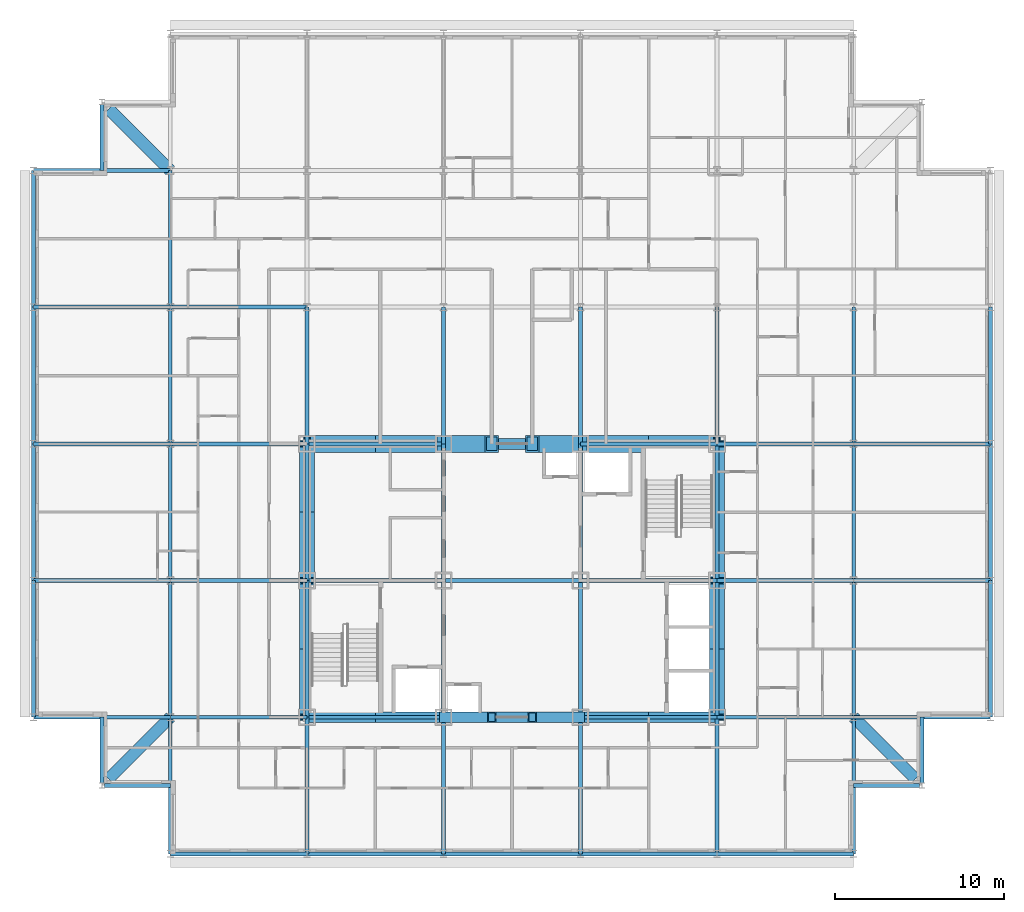
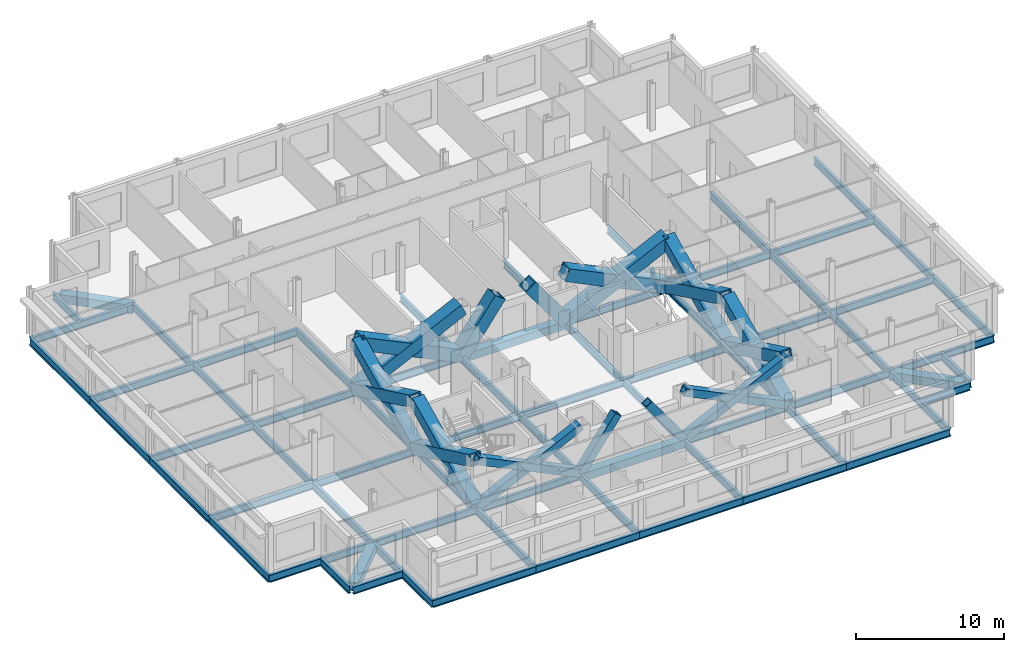
# One storey, part 5 of 15: 69 beams, 20 members.
"""IFC4 building model written with IfcOpenShell, lengths in metres."""

import ifcopenshell
import ifcopenshell.guid

model = None  # the IFC model being written
_history = None  # IfcOwnerHistory: only IFC2X3 demands one
_inside = {}  # id of a spatial element -> (the spatial element, [elements in it])
_under = {}  # id of a project, library or spatial element -> (it, [spatial elements below it])
_declared = {}  # id of a project -> (the project, [libraries it declares])
_typed = {}  # id of a type object -> (the type object, [elements of that type])
_made_of = {}  # id of a material, layer set ... -> (it, [elements and type objects made of it])


def new_model(schema):
    """Start an empty IFC model of exactly this schema.

    Asked for "IFC4X3", IfcOpenShell would pick the latest addendum, in which some entities
    have other attributes; the version numbers below select the first issue.
    IFC2X3 requires an IfcOwnerHistory on every rooted entity: one is made here for all.
    """
    global model, _history
    if schema == "IFC4X3":
        model = ifcopenshell.file(schema_version=(4, 3, 0, 0))
    else:
        model = ifcopenshell.file(schema=schema)
    _inside.clear()
    _under.clear()
    _declared.clear()
    _typed.clear()
    _made_of.clear()
    _history = None
    if model.schema == "IFC2X3":
        org = make("IfcOrganization", Name="unknown")
        user = make(
            "IfcPersonAndOrganization",
            ThePerson=make("IfcPerson", FamilyName="unknown"),
            TheOrganization=org,
        )
        app = make(
            "IfcApplication",
            ApplicationDeveloper=org,
            Version="unknown",
            ApplicationFullName="unknown",
            ApplicationIdentifier="unknown",
        )
        _history = make(
            "IfcOwnerHistory",
            OwningUser=user,
            OwningApplication=app,
            ChangeAction="ADDED",
            CreationDate=0,
        )
    return model


def make(cls, **values):
    """One entity of the class cls with the attributes given. An attribute that is None is left unset."""
    return model.create_entity(
        cls, **{name: value for name, value in values.items() if value is not None}
    )


def rooted(cls, **values):
    """An entity with a GlobalId (a new one), such as an element, a storey or a relation."""
    return make(cls, GlobalId=ifcopenshell.guid.new(), OwnerHistory=_history, **values)


def si_unit(unit_type, name, prefix=None):
    """IfcSIUnit, for example si_unit("LENGTHUNIT", "METRE", prefix="MILLI")."""
    return make("IfcSIUnit", UnitType=unit_type, Prefix=prefix, Name=name)


def assignment(units):
    """IfcUnitAssignment: the units of a project."""
    return None if units is None else make("IfcUnitAssignment", Units=units)


def point(xyz):
    """IfcCartesianPoint."""
    return None if xyz is None else make("IfcCartesianPoint", Coordinates=xyz)


def direction(xyz):
    """IfcDirection."""
    return None if xyz is None else make("IfcDirection", DirectionRatios=xyz)


def frame(location, z_axis=None, x_axis=None):
    """IfcAxis2Placement3D, a coordinate frame: its origin and axes. An axis left out is left unset."""
    return make(
        "IfcAxis2Placement3D",
        Location=point(location),
        Axis=direction(z_axis),
        RefDirection=direction(x_axis),
    )


def frame_2d(location, x_axis=None):
    """IfcAxis2Placement2D, a coordinate frame in the plane: its origin and x axis."""
    return make(
        "IfcAxis2Placement2D", Location=point(location), RefDirection=direction(x_axis)
    )


def origin():
    """The frame at (0, 0, 0) with its axes left unset."""
    return frame((0.0, 0.0, 0.0))


def origin_2d():
    """The frame at (0, 0) in the plane with its x axis left unset."""
    return frame_2d((0.0, 0.0))


def place(relative_to, where):
    """IfcLocalPlacement: puts the frame where relative to a parent placement (None: the world)."""
    return make(
        "IfcLocalPlacement", PlacementRelTo=relative_to, RelativePlacement=where
    )


def context(
    kind, dimensions, precision=None, world=None, true_north=None, identifier=None
):
    """IfcGeometricRepresentationContext, for example the 3D "Model" context."""
    return make(
        "IfcGeometricRepresentationContext",
        ContextIdentifier=identifier,
        ContextType=kind,
        CoordinateSpaceDimension=dimensions,
        Precision=precision,
        WorldCoordinateSystem=world,
        TrueNorth=true_north,
    )


def subcontext(parent, identifier, kind, view, scale=None):
    """IfcGeometricRepresentationSubContext, for example "Body" below "Model"."""
    return make(
        "IfcGeometricRepresentationSubContext",
        ContextIdentifier=identifier,
        ContextType=kind,
        ParentContext=parent,
        TargetScale=scale,
        TargetView=view,
    )


def project(units=None, contexts=None):
    """IfcProject with its units and contexts."""
    return rooted(
        "IfcProject",
        Name="project",
        RepresentationContexts=contexts,
        UnitsInContext=assignment(units),
    )


def spatial(cls, under=None, at=None, **own):
    """A site, building, storey or space (cls), placed at a placement, below another one or the project."""
    s = rooted(cls, ObjectPlacement=at, **own)
    if under is not None:
        _under.setdefault(under.id(), (under, []))[1].append(s)
    return s


def profile(cls, at=None, kind="AREA", **sizes):
    """A parametric profile (cls). Its sizes go by their IFC names, for example OverallWidth=200.0."""
    return make(cls, ProfileType=kind, Position=at, **sizes)


def hollow_rectangle(**sizes):
    """IfcRectangleHollowProfileDef."""
    return profile("IfcRectangleHollowProfileDef", **sizes)


def i_section(**sizes):
    """IfcIShapeProfileDef."""
    return profile("IfcIShapeProfileDef", **sizes)


def extrude(swept, where, along, depth):
    """IfcExtrudedAreaSolid: the profile swept, set in the frame where, extruded along a direction by depth."""
    return make(
        "IfcExtrudedAreaSolid",
        SweptArea=swept,
        Position=where,
        ExtrudedDirection=direction(along),
        Depth=depth,
    )


def shape(context_of_items, identifier, shape_type, items):
    """IfcShapeRepresentation: the items that make up one representation, for example the "Body"."""
    return make(
        "IfcShapeRepresentation",
        ContextOfItems=context_of_items,
        RepresentationIdentifier=identifier,
        RepresentationType=shape_type,
        Items=items,
    )


def material(Name=None, Category=None):
    """IfcMaterial."""
    return make("IfcMaterial", Name=Name, Category=Category)


def material_profile(
    of_material, cross_section, Name=None, Category=None, Priority=None
):
    """IfcMaterialProfile: a cross section and its material."""
    return make(
        "IfcMaterialProfile",
        Name=Name,
        Material=of_material,
        Profile=cross_section,
        Priority=Priority,
        Category=Category,
    )


def profile_set(profiles, Name=None, composite=None):
    """IfcMaterialProfileSet."""
    return make(
        "IfcMaterialProfileSet",
        Name=Name,
        MaterialProfiles=profiles,
        CompositeProfile=composite,
    )


def made_of(thing, what):
    """Note that an element or type object is made of a material, layer set ...; save() writes the relation."""
    if what is not None:
        _made_of.setdefault(what.id(), (what, []))[1].append(thing)
    return thing


def type_object(cls, material=None, **own):
    """A type object (cls), such as IfcWallType, which elements share."""
    return made_of(rooted(cls, **own), material)


def element(
    cls,
    number,
    at=None,
    inside=None,
    cuts=None,
    type_object=None,
    material=None,
    context=None,
    identifier="Body",
    shape_type=None,
    held_by="IfcProductDefinitionShape",
    body=None,
    shapes=None,
    **own,
):
    """One element of the class cls, such as IfcWall. Its Tag is "e" and its number.

    at: its placement. inside: the storey or other place that contains it. cuts: it is an
    opening in that element (IfcRelVoidsElement). A single representation is given by context,
    identifier, shape_type and body (its items); several are given by shapes. held_by: the class
    of the entity that holds the representations. save() writes the other relations.
    """
    e = rooted(cls, Tag="e%d" % number, ObjectPlacement=at, **own)
    if body is not None:
        shapes = [shape(context, identifier, shape_type, body)]
    if shapes is not None:
        e.Representation = make(held_by, Representations=shapes)
    if inside is not None:
        _inside.setdefault(inside.id(), (inside, []))[1].append(e)
    if cuts is not None:
        rooted(
            "IfcRelVoidsElement", RelatingBuildingElement=cuts, RelatedOpeningElement=e
        )
    if type_object is not None:
        _typed.setdefault(type_object.id(), (type_object, []))[1].append(e)
    return made_of(e, material)


def aggregate(whole, parts):
    """IfcRelAggregates: a whole, such as a stair, and the parts it consists of."""
    return rooted("IfcRelAggregates", RelatingObject=whole, RelatedObjects=parts)


def save(model, path):
    """Write the relations noted so far, then the file.

    IfcRelAggregates (storeys below a building ...), IfcRelContainedInSpatialStructure (elements
    in a storey), IfcRelDefinesByType, IfcRelAssociatesMaterial and IfcRelDeclares: one each for
    every whole, place, type object, material and project.
    """
    for whole, parts in _under.values():
        aggregate(whole, parts)
    for where, things in _inside.values():
        rooted(
            "IfcRelContainedInSpatialStructure",
            RelatedElements=things,
            RelatingStructure=where,
        )
    for kind, things in _typed.values():
        rooted("IfcRelDefinesByType", RelatedObjects=things, RelatingType=kind)
    for what, things in _made_of.values():
        rooted("IfcRelAssociatesMaterial", RelatedObjects=things, RelatingMaterial=what)
    for by, libraries in _declared.values():
        rooted("IfcRelDeclares", RelatingContext=by, RelatedDefinitions=libraries)
    model.write(path)


model = new_model("IFC4")

# Units and contexts
model_context = context("Model", 3, precision=1e-05, world=origin(), true_north=direction((0.0, 1.0)))
body_context = subcontext(model_context, "Body", "Model", "MODEL_VIEW")
ifc_project = project(units=[si_unit("LENGTHUNIT", "METRE"), si_unit("AREAUNIT", "SQUARE_METRE"), si_unit("VOLUMEUNIT", "CUBIC_METRE"), si_unit("PLANEANGLEUNIT", "RADIAN"), si_unit("MASSUNIT", "GRAM", prefix="KILO")], contexts=[model_context])

# Site, building, storey
site_placement = place(None, origin())
site = spatial("IfcSite", under=ifc_project, at=site_placement, CompositionType="ELEMENT")
building_placement = place(site_placement, origin())
building = spatial("IfcBuilding", under=site, at=building_placement, Name="Kopane Lantern Tower", CompositionType="ELEMENT")
storey_placement = place(building_placement, frame((0.0, 0.0, 254.10009765625)))
storey = spatial("IfcBuildingStorey", under=building, at=storey_placement, Name="L65", CompositionType="ELEMENT", Elevation=254.10009765625)

# Members
ifc_material_1 = material(Name="Steel S355JR", Category="steel")
ifc_material_profile_1 = material_profile(ifc_material_1, hollow_rectangle(XDim=1.0, YDim=1.0, WallThickness=0.10009765625, at=origin_2d()), Name="BOX 1000x1000x100")
ifc_profile_set_1 = profile_set([ifc_material_profile_1], Name="Steel S355JR")
member_type_1 = type_object("IfcMemberType", Name="BRACE BOX 1000x1000x100", PredefinedType="BRACE", material=ifc_profile_set_1)
for number, where, z_axis, x_axis, name in (
    (1, (16.199951171875, 40.5, -0.210205078125), (0.900997345243, 0.0, 0.433824600345), (0.0, 1.0, 0.0), "Core brace L65"),
    (2, (24.300048828125, 40.5, -0.210205078125), (-0.900997345243, 0.0, 0.433824600345), (0.0, -1.0, 0.0), "Core brace L65"),
):
    element("IfcMember", number, at=place(storey_placement, frame(where, z_axis=z_axis, x_axis=x_axis)), inside=storey, type_object=member_type_1, Name=name, PredefinedType="BRACE", context=body_context, shape_type="SweptSolid", body=[
        extrude(hollow_rectangle(XDim=1.0, YDim=1.0, WallThickness=0.10009765625, at=origin_2d()), origin(), (0.0, 0.0, 1.0), 8.990234375),
    ])
for number, where, z_axis, x_axis, name in (
    (3, (24.300048828125, 40.5, -0.210205078125), (0.589982373942, 0.0, 0.807416124708), (0.0, 1.0, 0.0), "Core brace L65"),
    (4, (32.39990234375, 40.5, -0.210205078125), (-0.589982373942, 0.0, 0.807416124708), (0.0, -1.0, 0.0), "Core brace L65"),
):
    element("IfcMember", number, at=place(storey_placement, frame(where, z_axis=z_axis, x_axis=x_axis)), inside=storey, type_object=member_type_1, Name=name, PredefinedType="BRACE", context=body_context, shape_type="SweptSolid", body=[
        extrude(hollow_rectangle(XDim=1.0, YDim=1.0, WallThickness=0.10009765625, at=origin_2d()), origin(), (0.0, 0.0, 1.0), 4.830322265625),
    ])
for number, where, z_axis, x_axis, name in (
    (5, (32.39990234375, 40.5, -0.210205078125), (0.900997345243, 0.0, 0.433824600345), (0.0, 1.0, 0.0), "Core brace L65"),
    (6, (40.5, 40.5, -0.210205078125), (-0.900997345243, 0.0, 0.433824600345), (0.0, -1.0, 0.0), "Core brace L65"),
):
    element("IfcMember", number, at=place(storey_placement, frame(where, z_axis=z_axis, x_axis=x_axis)), inside=storey, type_object=member_type_1, Name=name, PredefinedType="BRACE", context=body_context, shape_type="SweptSolid", body=[
        extrude(hollow_rectangle(XDim=1.0, YDim=1.0, WallThickness=0.10009765625, at=origin_2d()), origin(), (0.0, 0.0, 1.0), 8.990234375),
    ])
ifc_material_2 = material(Name="Steel S355JR", Category="steel")
ifc_material_profile_2 = material_profile(ifc_material_2, hollow_rectangle(XDim=0.60009765625, YDim=0.60009765625, WallThickness=0.06005859375, at=origin_2d()), Name="BOX 600x600x60")
ifc_profile_set_2 = profile_set([ifc_material_profile_2], Name="Steel S355JR")
member_type_2 = type_object("IfcMemberType", Name="BRACE BOX 600x600x60", PredefinedType="BRACE", material=ifc_profile_set_2)
for number, where, z_axis, x_axis, name in (
    (7, (16.199951171875, 24.300048828125, -0.210205078125), (0.900997345243, 0.0, 0.433824600345), (0.0, 1.0, 0.0), "Core brace L65"),
    (8, (24.300048828125, 24.300048828125, -0.210205078125), (-0.900997345243, 0.0, 0.433824600345), (0.0, -1.0, 0.0), "Core brace L65"),
):
    element("IfcMember", number, at=place(storey_placement, frame(where, z_axis=z_axis, x_axis=x_axis)), inside=storey, type_object=member_type_2, Name=name, PredefinedType="BRACE", context=body_context, shape_type="SweptSolid", body=[
        extrude(hollow_rectangle(XDim=0.60009765625, YDim=0.60009765625, WallThickness=0.06005859375, at=origin_2d()), origin(), (0.0, 0.0, 1.0), 8.990234375),
    ])
for number, where, z_axis, x_axis, name in (
    (9, (24.300048828125, 24.300048828125, -0.210205078125), (0.589982373942, 0.0, 0.807416124708), (0.0, 1.0, 0.0), "Core brace L65"),
    (10, (32.39990234375, 24.300048828125, -0.210205078125), (-0.589982373942, 0.0, 0.807416124708), (0.0, -1.0, 0.0), "Core brace L65"),
):
    element("IfcMember", number, at=place(storey_placement, frame(where, z_axis=z_axis, x_axis=x_axis)), inside=storey, type_object=member_type_2, Name=name, PredefinedType="BRACE", context=body_context, shape_type="SweptSolid", body=[
        extrude(hollow_rectangle(XDim=0.60009765625, YDim=0.60009765625, WallThickness=0.06005859375, at=origin_2d()), origin(), (0.0, 0.0, 1.0), 4.830322265625),
    ])
for number, where, z_axis, x_axis, name in (
    (11, (32.39990234375, 24.300048828125, -0.210205078125), (0.900997345243, 0.0, 0.433824600345), (0.0, 1.0, 0.0), "Core brace L65"),
    (12, (40.5, 24.300048828125, -0.210205078125), (-0.900997345243, 0.0, 0.433824600345), (0.0, -1.0, 0.0), "Core brace L65"),
):
    element("IfcMember", number, at=place(storey_placement, frame(where, z_axis=z_axis, x_axis=x_axis)), inside=storey, type_object=member_type_2, Name=name, PredefinedType="BRACE", context=body_context, shape_type="SweptSolid", body=[
        extrude(hollow_rectangle(XDim=0.60009765625, YDim=0.60009765625, WallThickness=0.06005859375, at=origin_2d()), origin(), (0.0, 0.0, 1.0), 8.990234375),
    ])
ifc_material_3 = material(Name="Steel S355JR", Category="steel")
ifc_material_profile_3 = material_profile(ifc_material_3, hollow_rectangle(XDim=0.89990234375, YDim=0.89990234375, WallThickness=0.090087890625, at=origin_2d()), Name="BOX 900x900x90")
ifc_profile_set_3 = profile_set([ifc_material_profile_3], Name="Steel S355JR")
member_type_3 = type_object("IfcMemberType", Name="BRACE BOX 900x900x90", PredefinedType="BRACE", material=ifc_profile_set_3)
for number, where, z_axis, x_axis, name in (
    (13, (16.199951171875, 24.300048828125, -0.210205078125), (0.0, 0.900992234105, 0.433835215355), (-1.0, 0.0, 0.0), "Core brace L65"),
    (14, (16.199951171875, 32.39990234375, -0.210205078125), (0.0, -0.900992234105, 0.433835215355), (1.0, 0.0, 0.0), "Core brace L65"),
):
    element("IfcMember", number, at=place(storey_placement, frame(where, z_axis=z_axis, x_axis=x_axis)), inside=storey, type_object=member_type_3, Name=name, PredefinedType="BRACE", context=body_context, shape_type="SweptSolid", body=[
        extrude(hollow_rectangle(XDim=0.89990234375, YDim=0.89990234375, WallThickness=0.090087890625, at=origin_2d()), origin(), (0.0, 0.0, 1.0), 8.989990234375),
    ])
for number, where, z_axis, x_axis, name in (
    (15, (16.199951171875, 32.39990234375, -0.210205078125), (0.0, 0.900997345243, 0.433824600345), (-1.0, 0.0, 0.0), "Core brace L65"),
    (16, (16.199951171875, 40.5, -0.210205078125), (0.0, -0.900997345243, 0.433824600345), (1.0, 0.0, 0.0), "Core brace L65"),
):
    element("IfcMember", number, at=place(storey_placement, frame(where, z_axis=z_axis, x_axis=x_axis)), inside=storey, type_object=member_type_3, Name=name, PredefinedType="BRACE", context=body_context, shape_type="SweptSolid", body=[
        extrude(hollow_rectangle(XDim=0.89990234375, YDim=0.89990234375, WallThickness=0.090087890625, at=origin_2d()), origin(), (0.0, 0.0, 1.0), 8.990234375),
    ])
for number, where, z_axis, x_axis, name in (
    (17, (40.5, 24.300048828125, -0.210205078125), (0.0, 0.900992234105, 0.433835215355), (-1.0, 0.0, 0.0), "Core brace L65"),
    (18, (40.5, 32.39990234375, -0.210205078125), (0.0, -0.900992234105, 0.433835215355), (1.0, 0.0, 0.0), "Core brace L65"),
):
    element("IfcMember", number, at=place(storey_placement, frame(where, z_axis=z_axis, x_axis=x_axis)), inside=storey, type_object=member_type_3, Name=name, PredefinedType="BRACE", context=body_context, shape_type="SweptSolid", body=[
        extrude(hollow_rectangle(XDim=0.89990234375, YDim=0.89990234375, WallThickness=0.090087890625, at=origin_2d()), origin(), (0.0, 0.0, 1.0), 8.989990234375),
    ])
for number, where, z_axis, x_axis, name in (
    (19, (40.5, 32.39990234375, -0.210205078125), (0.0, 0.900997345243, 0.433824600345), (-1.0, 0.0, 0.0), "Core brace L65"),
    (20, (40.5, 40.5, -0.210205078125), (0.0, -0.900997345243, 0.433824600345), (1.0, 0.0, 0.0), "Core brace L65"),
):
    element("IfcMember", number, at=place(storey_placement, frame(where, z_axis=z_axis, x_axis=x_axis)), inside=storey, type_object=member_type_3, Name=name, PredefinedType="BRACE", context=body_context, shape_type="SweptSolid", body=[
        extrude(hollow_rectangle(XDim=0.89990234375, YDim=0.89990234375, WallThickness=0.090087890625, at=origin_2d()), origin(), (0.0, 0.0, 1.0), 8.990234375),
    ])

# Beams
ifc_material_4 = material(Name="Steel S355JR", Category="steel")
ifc_material_profile_4 = material_profile(ifc_material_4, i_section(OverallWidth=0.22900390625, OverallDepth=0.6123046875, WebThickness=0.011962890625, FlangeThickness=0.01953125, FilletRadius=0.0126953125, at=origin_2d()), Name="UB 610x229x125")
ifc_profile_set_4 = profile_set([ifc_material_profile_4], Name="Steel S355JR")
beam_type_1 = type_object("IfcBeamType", Name="CORE BEAM UB 610x229x125", PredefinedType="BEAM", material=ifc_profile_set_4)
beam_1_placement = place(storey_placement, frame((16.199951171875, 32.39990234375, -0.51611328125), z_axis=(1.0, 0.0, 0.0), x_axis=(0.0, 1.0, 0.0)))
element("IfcBeam", 21, at=beam_1_placement, inside=storey, type_object=beam_type_1, Name="Core Beam L65", PredefinedType="BEAM", context=body_context, shape_type="SweptSolid", body=[
    extrude(i_section(OverallWidth=0.22900390625, OverallDepth=0.6123046875, WebThickness=0.011962890625, FlangeThickness=0.01953125, FilletRadius=0.0126953125, at=origin_2d()), origin(), (0.0, 0.0, 1.0), 8.10009765625),
])
beam_2_placement = place(storey_placement, frame((24.300048828125, 24.300048828125, -0.51611328125), z_axis=(0.0, 1.0, 0.0), x_axis=(-1.0, 0.0, 0.0)))
element("IfcBeam", 22, at=beam_2_placement, inside=storey, type_object=beam_type_1, Name="Core Beam L65", PredefinedType="BEAM", context=body_context, shape_type="SweptSolid", body=[
    extrude(i_section(OverallWidth=0.22900390625, OverallDepth=0.6123046875, WebThickness=0.011962890625, FlangeThickness=0.01953125, FilletRadius=0.0126953125, at=origin_2d()), origin(), (0.0, 0.0, 1.0), 8.099853515625),
])
beam_3_placement = place(storey_placement, frame((24.300048828125, 32.39990234375, -0.51611328125), z_axis=(0.0, 1.0, 0.0), x_axis=(-1.0, 0.0, 0.0)))
element("IfcBeam", 23, at=beam_3_placement, inside=storey, type_object=beam_type_1, Name="Core Beam L65", PredefinedType="BEAM", context=body_context, shape_type="SweptSolid", body=[
    extrude(i_section(OverallWidth=0.22900390625, OverallDepth=0.6123046875, WebThickness=0.011962890625, FlangeThickness=0.01953125, FilletRadius=0.0126953125, at=origin_2d()), origin(), (0.0, 0.0, 1.0), 8.10009765625),
])
for number, where, z_axis, x_axis, name in (
    (24, (24.300048828125, 32.39990234375, -0.51611328125), (1.0, 0.0, 0.0), (0.0, 1.0, 0.0), "Core Beam L65"),
    (25, (32.39990234375, 24.300048828125, -0.51611328125), (0.0, 1.0, 0.0), (-1.0, 0.0, 0.0), "Core Beam L65"),
):
    element("IfcBeam", number, at=place(storey_placement, frame(where, z_axis=z_axis, x_axis=x_axis)), inside=storey, type_object=beam_type_1, Name=name, PredefinedType="BEAM", context=body_context, shape_type="SweptSolid", body=[
        extrude(i_section(OverallWidth=0.22900390625, OverallDepth=0.6123046875, WebThickness=0.011962890625, FlangeThickness=0.01953125, FilletRadius=0.0126953125, at=origin_2d()), origin(), (0.0, 0.0, 1.0), 8.099853515625),
    ])
for number, where, z_axis, x_axis, name in (
    (26, (32.39990234375, 32.39990234375, -0.51611328125), (0.0, 1.0, 0.0), (-1.0, 0.0, 0.0), "Core Beam L65"),
    (27, (32.39990234375, 32.39990234375, -0.51611328125), (1.0, 0.0, 0.0), (0.0, 1.0, 0.0), "Core Beam L65"),
):
    element("IfcBeam", number, at=place(storey_placement, frame(where, z_axis=z_axis, x_axis=x_axis)), inside=storey, type_object=beam_type_1, Name=name, PredefinedType="BEAM", context=body_context, shape_type="SweptSolid", body=[
        extrude(i_section(OverallWidth=0.22900390625, OverallDepth=0.6123046875, WebThickness=0.011962890625, FlangeThickness=0.01953125, FilletRadius=0.0126953125, at=origin_2d()), origin(), (0.0, 0.0, 1.0), 8.10009765625),
    ])
ifc_material_5 = material(Name="Steel S355JR", Category="steel")
ifc_material_profile_5 = material_profile(ifc_material_5, hollow_rectangle(XDim=0.699951171875, YDim=0.699951171875, WallThickness=0.06005859375, at=origin_2d()), Name="BOX 700x700x60")
ifc_profile_set_5 = profile_set([ifc_material_profile_5], Name="Steel S355JR")
beam_type_2 = type_object("IfcBeamType", Name="CORNER TIE BEAM BOX 700x700x60", PredefinedType="BEAM", material=ifc_profile_set_5)
for number, where, z_axis, x_axis, name in (
    (28, (4.447509765625, 20.6474609375, -0.56005859375), (0.707106781187, 0.707106781187, 0.0), (-0.707106781187, 0.707106781187, 0.0), "Corner Tie Beam L65"),
    (29, (4.447509765625, 60.3525390625, -0.56005859375), (0.707106781187, -0.707106781187, 0.0), (0.707106781187, 0.707106781187, 0.0), "Corner Tie Beam L65"),
):
    element("IfcBeam", number, at=place(storey_placement, frame(where, z_axis=z_axis, x_axis=x_axis)), inside=storey, type_object=beam_type_2, Name=name, PredefinedType="BEAM", context=body_context, shape_type="SweptSolid", body=[
        extrude(hollow_rectangle(XDim=0.699951171875, YDim=0.699951171875, WallThickness=0.06005859375, at=origin_2d()), origin(), (0.0, 0.0, 1.0), 5.16552734375),
    ])
beam_4_placement = place(storey_placement, frame((52.25244140625, 20.6474609375, -0.56005859375), z_axis=(-0.707083148333, 0.70713041325, 0.0), x_axis=(-0.70713041325, -0.707083148333, 0.0)))
element("IfcBeam", 30, at=beam_4_placement, inside=storey, type_object=beam_type_2, Name="Corner Tie Beam L65", PredefinedType="BEAM", context=body_context, shape_type="SweptSolid", body=[
    extrude(hollow_rectangle(XDim=0.699951171875, YDim=0.699951171875, WallThickness=0.06005859375, at=origin_2d()), origin(), (0.0, 0.0, 1.0), 5.165283203125),
])
ifc_material_6 = material(Name="Steel S355JR", Category="steel")
ifc_material_profile_6 = material_profile(ifc_material_6, i_section(OverallWidth=0.22900390625, OverallDepth=0.6123046875, WebThickness=0.011962890625, FlangeThickness=0.01953125, FilletRadius=0.0126953125, at=origin_2d()), Name="UB 610x229x125")
ifc_profile_set_6 = profile_set([ifc_material_profile_6], Name="Steel S355JR")
beam_type_3 = type_object("IfcBeamType", Name="EDGE BEAM UB 610x229x125", PredefinedType="BEAM", material=ifc_profile_set_6)
beam_5_placement = place(storey_placement, frame((4.050048828125, 20.40380859375, -0.51611328125), z_axis=(0.0, 1.0, 0.0), x_axis=(-1.0, 0.0, 0.0)))
element("IfcBeam", 31, at=beam_5_placement, inside=storey, type_object=beam_type_3, Name="Edge Beam L65", PredefinedType="BEAM", context=body_context, shape_type="SweptSolid", body=[
    extrude(i_section(OverallWidth=0.22900390625, OverallDepth=0.6123046875, WebThickness=0.011962890625, FlangeThickness=0.01953125, FilletRadius=0.0126953125, at=origin_2d()), origin(), (0.0, 0.0, 1.0), 3.896240234375),
])
beam_6_placement = place(storey_placement, frame((4.20361328125, 20.25, -0.51611328125), z_axis=(1.0, 0.0, 0.0), x_axis=(0.0, 1.0, 0.0)))
element("IfcBeam", 32, at=beam_6_placement, inside=storey, type_object=beam_type_3, Name="Edge Beam L65", PredefinedType="BEAM", context=body_context, shape_type="SweptSolid", body=[
    extrude(i_section(OverallWidth=0.22900390625, OverallDepth=0.6123046875, WebThickness=0.011962890625, FlangeThickness=0.01953125, FilletRadius=0.0126953125, at=origin_2d()), origin(), (0.0, 0.0, 1.0), 3.896484375),
])
for number, where, z_axis, x_axis, name in (
    (33, (4.050048828125, 60.59619140625, -0.51611328125), (0.0, -1.0, 0.0), (1.0, 0.0, 0.0), "Edge Beam L65"),
    (34, (52.496337890625, 20.25, -0.51611328125), (-1.0, 0.0, 0.0), (0.0, -1.0, 0.0), "Edge Beam L65"),
    (35, (52.64990234375, 20.40380859375, -0.51611328125), (0.0, 1.0, 0.0), (-1.0, 0.0, 0.0), "Edge Beam L65"),
):
    element("IfcBeam", number, at=place(storey_placement, frame(where, z_axis=z_axis, x_axis=x_axis)), inside=storey, type_object=beam_type_3, Name=name, PredefinedType="BEAM", context=body_context, shape_type="SweptSolid", body=[
        extrude(i_section(OverallWidth=0.22900390625, OverallDepth=0.6123046875, WebThickness=0.011962890625, FlangeThickness=0.01953125, FilletRadius=0.0126953125, at=origin_2d()), origin(), (0.0, 0.0, 1.0), 3.896240234375),
    ])
ifc_material_7 = material(Name="Steel S355JR", Category="steel")
ifc_material_profile_7 = material_profile(ifc_material_7, i_section(OverallWidth=0.22900390625, OverallDepth=0.6123046875, WebThickness=0.011962890625, FlangeThickness=0.01953125, FilletRadius=0.0126953125, at=origin_2d()), Name="UB 610x229x125")
ifc_profile_set_7 = profile_set([ifc_material_profile_7], Name="Steel S355JR")
beam_type_4 = type_object("IfcBeamType", Name="GIRDER UB 610x229x125", PredefinedType="BEAM", material=ifc_profile_set_7)
beam_7_placement = place(storey_placement, frame((0.0, 24.300048828125, -0.51611328125), z_axis=(0.0, 1.0, 0.0), x_axis=(-1.0, 0.0, 0.0)))
element("IfcBeam", 36, at=beam_7_placement, inside=storey, type_object=beam_type_4, Name="Girder L65", PredefinedType="BEAM", context=body_context, shape_type="SweptSolid", body=[
    extrude(i_section(OverallWidth=0.22900390625, OverallDepth=0.6123046875, WebThickness=0.011962890625, FlangeThickness=0.01953125, FilletRadius=0.0126953125, at=origin_2d()), origin(), (0.0, 0.0, 1.0), 8.099853515625),
])
for number, where, z_axis, x_axis, name in (
    (37, (0.0, 24.300048828125, -0.51611328125), (1.0, 0.0, 0.0), (0.0, 1.0, 0.0), "Girder L65"),
    (38, (0.0, 32.39990234375, -0.51611328125), (0.0, 1.0, 0.0), (-1.0, 0.0, 0.0), "Girder L65"),
    (39, (0.0, 32.39990234375, -0.51611328125), (1.0, 0.0, 0.0), (0.0, 1.0, 0.0), "Girder L65"),
    (40, (0.0, 40.5, -0.51611328125), (0.0, 1.0, 0.0), (-1.0, 0.0, 0.0), "Girder L65"),
    (41, (0.0, 40.5, -0.51611328125), (1.0, 0.0, 0.0), (0.0, 1.0, 0.0), "Girder L65"),
):
    element("IfcBeam", number, at=place(storey_placement, frame(where, z_axis=z_axis, x_axis=x_axis)), inside=storey, type_object=beam_type_4, Name=name, PredefinedType="BEAM", context=body_context, shape_type="SweptSolid", body=[
        extrude(i_section(OverallWidth=0.22900390625, OverallDepth=0.6123046875, WebThickness=0.011962890625, FlangeThickness=0.01953125, FilletRadius=0.0126953125, at=origin_2d()), origin(), (0.0, 0.0, 1.0), 8.10009765625),
    ])
beam_8_placement = place(storey_placement, frame((0.0, 48.60009765625, -0.51611328125), z_axis=(0.0, 1.0, 0.0), x_axis=(-1.0, 0.0, 0.0)))
element("IfcBeam", 42, at=beam_8_placement, inside=storey, type_object=beam_type_4, Name="Girder L65", PredefinedType="BEAM", context=body_context, shape_type="SweptSolid", body=[
    extrude(i_section(OverallWidth=0.22900390625, OverallDepth=0.6123046875, WebThickness=0.011962890625, FlangeThickness=0.01953125, FilletRadius=0.0126953125, at=origin_2d()), origin(), (0.0, 0.0, 1.0), 8.099853515625),
])
for number, where, z_axis, x_axis, name in (
    (43, (0.0, 48.60009765625, -0.51611328125), (1.0, 0.0, 0.0), (0.0, 1.0, 0.0), "Girder L65"),
    (44, (0.0, 56.699951171875, -0.51611328125), (1.0, 0.0, 0.0), (0.0, 1.0, 0.0), "Girder L65"),
    (45, (8.10009765625, 16.199951171875, -0.51611328125), (0.0, 1.0, 0.0), (-1.0, 0.0, 0.0), "Girder L65"),
):
    element("IfcBeam", number, at=place(storey_placement, frame(where, z_axis=z_axis, x_axis=x_axis)), inside=storey, type_object=beam_type_4, Name=name, PredefinedType="BEAM", context=body_context, shape_type="SweptSolid", body=[
        extrude(i_section(OverallWidth=0.22900390625, OverallDepth=0.6123046875, WebThickness=0.011962890625, FlangeThickness=0.01953125, FilletRadius=0.0126953125, at=origin_2d()), origin(), (0.0, 0.0, 1.0), 8.10009765625),
    ])
for number, where, z_axis, x_axis, name in (
    (46, (8.10009765625, 16.199951171875, -0.51611328125), (1.0, 0.0, 0.0), (0.0, 1.0, 0.0), "Girder L65"),
    (47, (8.10009765625, 24.300048828125, -0.51611328125), (0.0, 1.0, 0.0), (-1.0, 0.0, 0.0), "Girder L65"),
    (48, (8.10009765625, 24.300048828125, -0.51611328125), (1.0, 0.0, 0.0), (0.0, 1.0, 0.0), "Girder L65"),
):
    element("IfcBeam", number, at=place(storey_placement, frame(where, z_axis=z_axis, x_axis=x_axis)), inside=storey, type_object=beam_type_4, Name=name, PredefinedType="BEAM", context=body_context, shape_type="SweptSolid", body=[
        extrude(i_section(OverallWidth=0.22900390625, OverallDepth=0.6123046875, WebThickness=0.011962890625, FlangeThickness=0.01953125, FilletRadius=0.0126953125, at=origin_2d()), origin(), (0.0, 0.0, 1.0), 8.099853515625),
    ])
beam_9_placement = place(storey_placement, frame((8.10009765625, 32.39990234375, -0.51611328125), z_axis=(0.0, 1.0, 0.0), x_axis=(-1.0, 0.0, 0.0)))
element("IfcBeam", 49, at=beam_9_placement, inside=storey, type_object=beam_type_4, Name="Girder L65", PredefinedType="BEAM", context=body_context, shape_type="SweptSolid", body=[
    extrude(i_section(OverallWidth=0.22900390625, OverallDepth=0.6123046875, WebThickness=0.011962890625, FlangeThickness=0.01953125, FilletRadius=0.0126953125, at=origin_2d()), origin(), (0.0, 0.0, 1.0), 8.10009765625),
])
beam_10_placement = place(storey_placement, frame((8.10009765625, 32.39990234375, -0.51611328125), z_axis=(1.0, 0.0, 0.0), x_axis=(0.0, 1.0, 0.0)))
element("IfcBeam", 50, at=beam_10_placement, inside=storey, type_object=beam_type_4, Name="Girder L65", PredefinedType="BEAM", context=body_context, shape_type="SweptSolid", body=[
    extrude(i_section(OverallWidth=0.22900390625, OverallDepth=0.6123046875, WebThickness=0.011962890625, FlangeThickness=0.01953125, FilletRadius=0.0126953125, at=origin_2d()), origin(), (0.0, 0.0, 1.0), 8.099853515625),
])
beam_11_placement = place(storey_placement, frame((8.10009765625, 40.5, -0.51611328125), z_axis=(0.0, 1.0, 0.0), x_axis=(-1.0, 0.0, 0.0)))
element("IfcBeam", 51, at=beam_11_placement, inside=storey, type_object=beam_type_4, Name="Girder L65", PredefinedType="BEAM", context=body_context, shape_type="SweptSolid", body=[
    extrude(i_section(OverallWidth=0.22900390625, OverallDepth=0.6123046875, WebThickness=0.011962890625, FlangeThickness=0.01953125, FilletRadius=0.0126953125, at=origin_2d()), origin(), (0.0, 0.0, 1.0), 8.10009765625),
])
for number, where, z_axis, x_axis, name in (
    (52, (8.10009765625, 40.5, -0.51611328125), (1.0, 0.0, 0.0), (0.0, 1.0, 0.0), "Girder L65"),
    (53, (8.10009765625, 48.60009765625, -0.51611328125), (0.0, 1.0, 0.0), (-1.0, 0.0, 0.0), "Girder L65"),
    (54, (8.10009765625, 48.60009765625, -0.51611328125), (1.0, 0.0, 0.0), (0.0, 1.0, 0.0), "Girder L65"),
):
    element("IfcBeam", number, at=place(storey_placement, frame(where, z_axis=z_axis, x_axis=x_axis)), inside=storey, type_object=beam_type_4, Name=name, PredefinedType="BEAM", context=body_context, shape_type="SweptSolid", body=[
        extrude(i_section(OverallWidth=0.22900390625, OverallDepth=0.6123046875, WebThickness=0.011962890625, FlangeThickness=0.01953125, FilletRadius=0.0126953125, at=origin_2d()), origin(), (0.0, 0.0, 1.0), 8.099853515625),
    ])
for number, where, z_axis, x_axis, name in (
    (55, (16.199951171875, 16.199951171875, -0.51611328125), (0.0, 1.0, 0.0), (-1.0, 0.0, 0.0), "Girder L65"),
    (56, (16.199951171875, 16.199951171875, -0.51611328125), (1.0, 0.0, 0.0), (0.0, 1.0, 0.0), "Girder L65"),
):
    element("IfcBeam", number, at=place(storey_placement, frame(where, z_axis=z_axis, x_axis=x_axis)), inside=storey, type_object=beam_type_4, Name=name, PredefinedType="BEAM", context=body_context, shape_type="SweptSolid", body=[
        extrude(i_section(OverallWidth=0.22900390625, OverallDepth=0.6123046875, WebThickness=0.011962890625, FlangeThickness=0.01953125, FilletRadius=0.0126953125, at=origin_2d()), origin(), (0.0, 0.0, 1.0), 8.10009765625),
    ])
beam_12_placement = place(storey_placement, frame((16.199951171875, 24.300048828125, -0.51611328125), z_axis=(0.0, 1.0, 0.0), x_axis=(-1.0, 0.0, 0.0)))
element("IfcBeam", 57, at=beam_12_placement, inside=storey, type_object=beam_type_4, Name="Girder L65", PredefinedType="BEAM", context=body_context, shape_type="SweptSolid", body=[
    extrude(i_section(OverallWidth=0.22900390625, OverallDepth=0.6123046875, WebThickness=0.011962890625, FlangeThickness=0.01953125, FilletRadius=0.0126953125, at=origin_2d()), origin(), (0.0, 0.0, 1.0), 8.099853515625),
])
for number, where, z_axis, x_axis, name in (
    (58, (16.199951171875, 24.300048828125, -0.51611328125), (1.0, 0.0, 0.0), (0.0, 1.0, 0.0), "Girder L65"),
    (59, (16.199951171875, 32.39990234375, -0.51611328125), (0.0, 1.0, 0.0), (-1.0, 0.0, 0.0), "Girder L65"),
    (60, (16.199951171875, 40.5, -0.51611328125), (0.0, 1.0, 0.0), (-1.0, 0.0, 0.0), "Girder L65"),
    (61, (16.199951171875, 40.5, -0.51611328125), (1.0, 0.0, 0.0), (0.0, 1.0, 0.0), "Girder L65"),
    (62, (24.300048828125, 16.199951171875, -0.51611328125), (0.0, 1.0, 0.0), (-1.0, 0.0, 0.0), "Girder L65"),
):
    element("IfcBeam", number, at=place(storey_placement, frame(where, z_axis=z_axis, x_axis=x_axis)), inside=storey, type_object=beam_type_4, Name=name, PredefinedType="BEAM", context=body_context, shape_type="SweptSolid", body=[
        extrude(i_section(OverallWidth=0.22900390625, OverallDepth=0.6123046875, WebThickness=0.011962890625, FlangeThickness=0.01953125, FilletRadius=0.0126953125, at=origin_2d()), origin(), (0.0, 0.0, 1.0), 8.10009765625),
    ])
beam_13_placement = place(storey_placement, frame((24.300048828125, 16.199951171875, -0.51611328125), z_axis=(1.0, 0.0, 0.0), x_axis=(0.0, 1.0, 0.0)))
element("IfcBeam", 63, at=beam_13_placement, inside=storey, type_object=beam_type_4, Name="Girder L65", PredefinedType="BEAM", context=body_context, shape_type="SweptSolid", body=[
    extrude(i_section(OverallWidth=0.22900390625, OverallDepth=0.6123046875, WebThickness=0.011962890625, FlangeThickness=0.01953125, FilletRadius=0.0126953125, at=origin_2d()), origin(), (0.0, 0.0, 1.0), 8.099853515625),
])
for number, where, z_axis, x_axis, name in (
    (64, (24.300048828125, 40.5, -0.51611328125), (0.0, 1.0, 0.0), (-1.0, 0.0, 0.0), "Girder L65"),
    (65, (32.39990234375, 16.199951171875, -0.51611328125), (0.0, 1.0, 0.0), (-1.0, 0.0, 0.0), "Girder L65"),
    (66, (32.39990234375, 16.199951171875, -0.51611328125), (1.0, 0.0, 0.0), (0.0, 1.0, 0.0), "Girder L65"),
    (67, (32.39990234375, 24.300048828125, -0.51611328125), (1.0, 0.0, 0.0), (0.0, 1.0, 0.0), "Girder L65"),
    (68, (32.39990234375, 40.5, -0.51611328125), (0.0, 1.0, 0.0), (-1.0, 0.0, 0.0), "Girder L65"),
    (69, (32.39990234375, 40.5, -0.51611328125), (1.0, 0.0, 0.0), (0.0, 1.0, 0.0), "Girder L65"),
    (70, (40.5, 16.199951171875, -0.51611328125), (0.0, 1.0, 0.0), (-1.0, 0.0, 0.0), "Girder L65"),
    (71, (40.5, 16.199951171875, -0.51611328125), (1.0, 0.0, 0.0), (0.0, 1.0, 0.0), "Girder L65"),
):
    element("IfcBeam", number, at=place(storey_placement, frame(where, z_axis=z_axis, x_axis=x_axis)), inside=storey, type_object=beam_type_4, Name=name, PredefinedType="BEAM", context=body_context, shape_type="SweptSolid", body=[
        extrude(i_section(OverallWidth=0.22900390625, OverallDepth=0.6123046875, WebThickness=0.011962890625, FlangeThickness=0.01953125, FilletRadius=0.0126953125, at=origin_2d()), origin(), (0.0, 0.0, 1.0), 8.10009765625),
    ])
beam_14_placement = place(storey_placement, frame((40.5, 24.300048828125, -0.51611328125), z_axis=(0.0, 1.0, 0.0), x_axis=(-1.0, 0.0, 0.0)))
element("IfcBeam", 72, at=beam_14_placement, inside=storey, type_object=beam_type_4, Name="Girder L65", PredefinedType="BEAM", context=body_context, shape_type="SweptSolid", body=[
    extrude(i_section(OverallWidth=0.22900390625, OverallDepth=0.6123046875, WebThickness=0.011962890625, FlangeThickness=0.01953125, FilletRadius=0.0126953125, at=origin_2d()), origin(), (0.0, 0.0, 1.0), 8.099853515625),
])
for number, where, z_axis, x_axis, name in (
    (73, (40.5, 24.300048828125, -0.51611328125), (1.0, 0.0, 0.0), (0.0, 1.0, 0.0), "Girder L65"),
    (74, (40.5, 32.39990234375, -0.51611328125), (0.0, 1.0, 0.0), (-1.0, 0.0, 0.0), "Girder L65"),
    (75, (40.5, 32.39990234375, -0.51611328125), (1.0, 0.0, 0.0), (0.0, 1.0, 0.0), "Girder L65"),
    (76, (40.5, 40.5, -0.51611328125), (0.0, 1.0, 0.0), (-1.0, 0.0, 0.0), "Girder L65"),
    (77, (40.5, 40.5, -0.51611328125), (1.0, 0.0, 0.0), (0.0, 1.0, 0.0), "Girder L65"),
    (78, (48.60009765625, 16.199951171875, -0.51611328125), (0.0, 1.0, 0.0), (-1.0, 0.0, 0.0), "Girder L65"),
):
    element("IfcBeam", number, at=place(storey_placement, frame(where, z_axis=z_axis, x_axis=x_axis)), inside=storey, type_object=beam_type_4, Name=name, PredefinedType="BEAM", context=body_context, shape_type="SweptSolid", body=[
        extrude(i_section(OverallWidth=0.22900390625, OverallDepth=0.6123046875, WebThickness=0.011962890625, FlangeThickness=0.01953125, FilletRadius=0.0126953125, at=origin_2d()), origin(), (0.0, 0.0, 1.0), 8.10009765625),
    ])
for number, where, z_axis, x_axis, name in (
    (79, (48.60009765625, 24.300048828125, -0.51611328125), (0.0, 1.0, 0.0), (-1.0, 0.0, 0.0), "Girder L65"),
    (80, (48.60009765625, 24.300048828125, -0.51611328125), (1.0, 0.0, 0.0), (0.0, 1.0, 0.0), "Girder L65"),
):
    element("IfcBeam", number, at=place(storey_placement, frame(where, z_axis=z_axis, x_axis=x_axis)), inside=storey, type_object=beam_type_4, Name=name, PredefinedType="BEAM", context=body_context, shape_type="SweptSolid", body=[
        extrude(i_section(OverallWidth=0.22900390625, OverallDepth=0.6123046875, WebThickness=0.011962890625, FlangeThickness=0.01953125, FilletRadius=0.0126953125, at=origin_2d()), origin(), (0.0, 0.0, 1.0), 8.099853515625),
    ])
beam_15_placement = place(storey_placement, frame((48.60009765625, 32.39990234375, -0.51611328125), z_axis=(0.0, 1.0, 0.0), x_axis=(-1.0, 0.0, 0.0)))
element("IfcBeam", 81, at=beam_15_placement, inside=storey, type_object=beam_type_4, Name="Girder L65", PredefinedType="BEAM", context=body_context, shape_type="SweptSolid", body=[
    extrude(i_section(OverallWidth=0.22900390625, OverallDepth=0.6123046875, WebThickness=0.011962890625, FlangeThickness=0.01953125, FilletRadius=0.0126953125, at=origin_2d()), origin(), (0.0, 0.0, 1.0), 8.10009765625),
])
beam_16_placement = place(storey_placement, frame((48.60009765625, 32.39990234375, -0.51611328125), z_axis=(1.0, 0.0, 0.0), x_axis=(0.0, 1.0, 0.0)))
element("IfcBeam", 82, at=beam_16_placement, inside=storey, type_object=beam_type_4, Name="Girder L65", PredefinedType="BEAM", context=body_context, shape_type="SweptSolid", body=[
    extrude(i_section(OverallWidth=0.22900390625, OverallDepth=0.6123046875, WebThickness=0.011962890625, FlangeThickness=0.01953125, FilletRadius=0.0126953125, at=origin_2d()), origin(), (0.0, 0.0, 1.0), 8.099853515625),
])
beam_17_placement = place(storey_placement, frame((48.60009765625, 40.5, -0.51611328125), z_axis=(0.0, 1.0, 0.0), x_axis=(-1.0, 0.0, 0.0)))
element("IfcBeam", 83, at=beam_17_placement, inside=storey, type_object=beam_type_4, Name="Girder L65", PredefinedType="BEAM", context=body_context, shape_type="SweptSolid", body=[
    extrude(i_section(OverallWidth=0.22900390625, OverallDepth=0.6123046875, WebThickness=0.011962890625, FlangeThickness=0.01953125, FilletRadius=0.0126953125, at=origin_2d()), origin(), (0.0, 0.0, 1.0), 8.10009765625),
])
for number, where, z_axis, x_axis, name in (
    (84, (48.60009765625, 40.5, -0.51611328125), (1.0, 0.0, 0.0), (0.0, 1.0, 0.0), "Girder L65"),
    (85, (56.699951171875, 24.300048828125, -0.51611328125), (0.0, 1.0, 0.0), (-1.0, 0.0, 0.0), "Girder L65"),
):
    element("IfcBeam", number, at=place(storey_placement, frame(where, z_axis=z_axis, x_axis=x_axis)), inside=storey, type_object=beam_type_4, Name=name, PredefinedType="BEAM", context=body_context, shape_type="SweptSolid", body=[
        extrude(i_section(OverallWidth=0.22900390625, OverallDepth=0.6123046875, WebThickness=0.011962890625, FlangeThickness=0.01953125, FilletRadius=0.0126953125, at=origin_2d()), origin(), (0.0, 0.0, 1.0), 8.099853515625),
    ])
for number, where, z_axis, x_axis, name in (
    (86, (56.699951171875, 32.39990234375, -0.51611328125), (0.0, 1.0, 0.0), (-1.0, 0.0, 0.0), "Girder L65"),
    (87, (56.699951171875, 40.5, -0.51611328125), (0.0, 1.0, 0.0), (-1.0, 0.0, 0.0), "Girder L65"),
):
    element("IfcBeam", number, at=place(storey_placement, frame(where, z_axis=z_axis, x_axis=x_axis)), inside=storey, type_object=beam_type_4, Name=name, PredefinedType="BEAM", context=body_context, shape_type="SweptSolid", body=[
        extrude(i_section(OverallWidth=0.22900390625, OverallDepth=0.6123046875, WebThickness=0.011962890625, FlangeThickness=0.01953125, FilletRadius=0.0126953125, at=origin_2d()), origin(), (0.0, 0.0, 1.0), 8.10009765625),
    ])
ifc_material_8 = material(Name="Steel S355JR", Category="steel")
ifc_material_profile_8 = material_profile(ifc_material_8, hollow_rectangle(XDim=0.64990234375, YDim=0.64990234375, WallThickness=0.070068359375, at=origin_2d()), Name="BOX 650x650x70")
ifc_profile_set_8 = profile_set([ifc_material_profile_8], Name="Steel S355JR")
beam_type_5 = type_object("IfcBeamType", Name="LINK BEAM BOX 650x650x70", PredefinedType="BEAM", material=ifc_profile_set_8)
for number, where, z_axis, x_axis, name in (
    (88, (24.300048828125, 24.300048828125, -0.53515625), (1.0, 0.0, 0.0), (0.0, 1.0, 0.0), "Link Beam L65"),
    (89, (24.300048828125, 40.5, -0.53515625), (1.0, 0.0, 0.0), (0.0, 1.0, 0.0), "Link Beam L65"),
):
    element("IfcBeam", number, at=place(storey_placement, frame(where, z_axis=z_axis, x_axis=x_axis)), inside=storey, type_object=beam_type_5, Name=name, PredefinedType="BEAM", context=body_context, shape_type="SweptSolid", body=[
        extrude(hollow_rectangle(XDim=0.64990234375, YDim=0.64990234375, WallThickness=0.070068359375, at=origin_2d()), origin(), (0.0, 0.0, 1.0), 8.099853515625),
    ])

save(model, "model.ifc")
